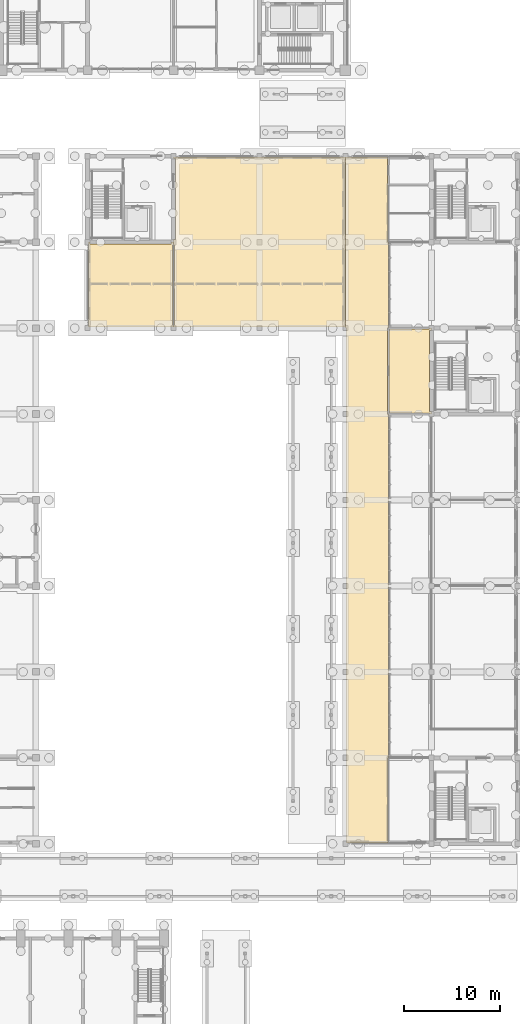
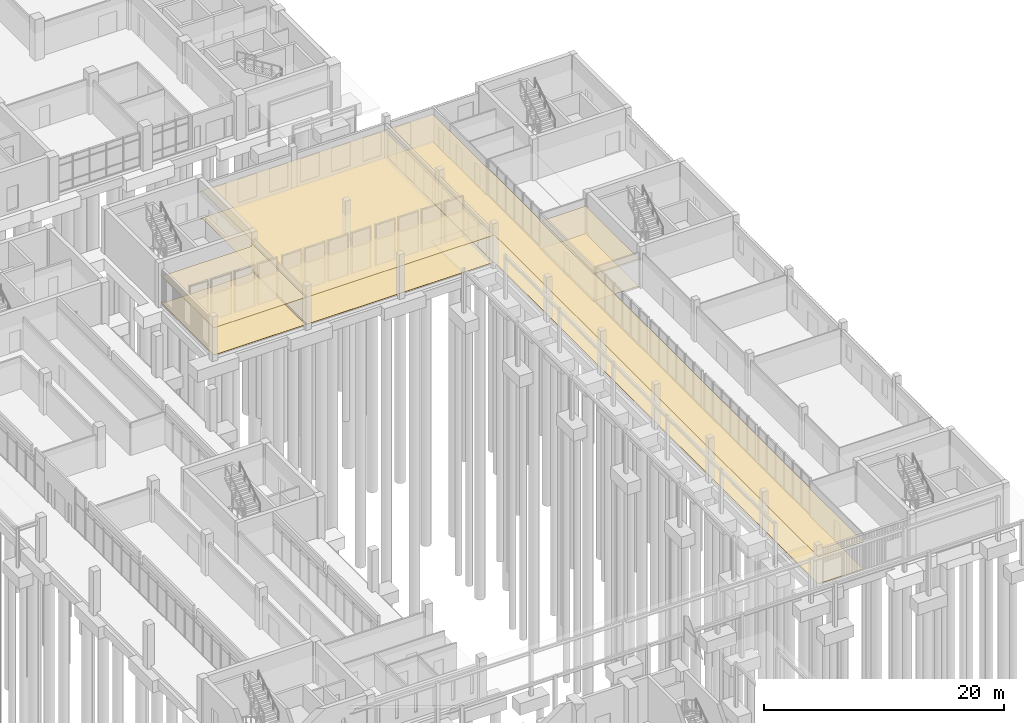
# One storey, part 95 of 106: 8 coverings.
"""IFC4 building model written with IfcOpenShell, lengths in metres."""

from ifc_helpers import new_model, si_unit, direction, frame, origin, place, context, subcontext, project, spatial, polyline, outline, extrude, material, layer, layer_set, type_object, element, save


model = new_model("IFC4")

# Units and contexts
model_context = context("Model", 3, precision=1e-05, world=origin(), true_north=direction((0.0, 1.0)))
body_context = subcontext(model_context, "Body", "Model", "MODEL_VIEW")
ifc_project = project(units=[si_unit("LENGTHUNIT", "METRE"), si_unit("AREAUNIT", "SQUARE_METRE"), si_unit("VOLUMEUNIT", "CUBIC_METRE"), si_unit("PLANEANGLEUNIT", "RADIAN"), si_unit("MASSUNIT", "GRAM", prefix="KILO")], contexts=[model_context])

# Site, building, storey
site_placement = place(None, origin())
site = spatial("IfcSite", under=ifc_project, at=site_placement, CompositionType="ELEMENT")
building_placement = place(site_placement, origin())
building = spatial("IfcBuilding", under=site, at=building_placement, Name="Merrow Basin Faculty of Sciences", CompositionType="ELEMENT")
storey_placement = place(building_placement, origin())
storey = spatial("IfcBuildingStorey", under=building, at=storey_placement, Name="L00", CompositionType="ELEMENT", Elevation=0.0)

# Coverings
ifc_material_1 = material(Name="Carpet tile floor")
ifc_layer_1 = layer(ifc_material_1, 0.02001953125)
ifc_layer_set_1 = layer_set([ifc_layer_1], Name="Carpet tile floor")
covering_type_1 = type_object("IfcCoveringType", Name="Carpet tile floor", PredefinedType="FLOORING", material=ifc_layer_set_1)
covering_1_placement = place(storey_placement, origin())
element("IfcCovering", 1, at=covering_1_placement, inside=storey, type_object=covering_type_1, Name="Floor finish L00-C-023", PredefinedType="FLOORING", context=body_context, shape_type="SweptSolid", body=[
    extrude(outline(polyline([(35.989990234375, 123.735107421875), (35.93994140625, 123.735107421875), (35.93994140625, 115.264892578125), (35.989990234375, 115.264892578125), (35.989990234375, 115.110107421875), (27.110107421875, 115.110107421875), (27.110107421875, 123.989990234375), (27.264892578125, 123.989990234375), (27.264892578125, 123.7900390625), (35.735107421875, 123.7900390625), (35.735107421875, 123.989990234375), (35.989990234375, 123.989990234375), (35.989990234375, 123.735107421875)])), origin(), (0.0, 0.0, 1.0), 0.02001953125),
])
ifc_material_2 = material(Name="Polished terrazzo floor")
ifc_layer_2 = layer(ifc_material_2, 0.02001953125)
ifc_layer_set_2 = layer_set([ifc_layer_2], Name="Polished terrazzo floor")
covering_type_2 = type_object("IfcCoveringType", Name="Polished terrazzo floor", PredefinedType="FLOORING", material=ifc_layer_set_2)
covering_2_placement = place(storey_placement, origin())
element("IfcCovering", 2, at=covering_2_placement, inside=storey, type_object=covering_type_2, Name="Floor finish L00-C-017", PredefinedType="FLOORING", context=body_context, shape_type="SweptSolid", body=[
    extrude(outline(polyline([(54.010009765625, 115.010009765625), (54.010009765625, 132.889892578125), (58.4150390625, 132.889892578125), (58.4150390625, 129.989990234375), (58.43994140625, 129.989990234375), (58.43994140625, 123.989990234375), (58.489990234375, 123.989990234375), (58.489990234375, 115.010009765625), (58.4150390625, 115.010009765625), (58.4150390625, 105.989990234375), (58.489990234375, 105.989990234375), (58.489990234375, 70.010009765625), (58.43994140625, 70.010009765625), (58.43994140625, 61.110107421875), (54.110107421875, 61.110107421875), (54.110107421875, 115.010009765625), (54.010009765625, 115.010009765625)])), origin(), (0.0, 0.0, 1.0), 0.02001953125),
])
covering_3_placement = place(storey_placement, origin())
element("IfcCovering", 3, at=covering_3_placement, inside=storey, type_object=covering_type_2, Name="Floor finish L00-C-022", PredefinedType="FLOORING", context=body_context, shape_type="SweptSolid", body=[
    extrude(outline(polyline([(36.010009765625, 115.110107421875), (36.010009765625, 115.264892578125), (36.06005859375, 115.264892578125), (36.06005859375, 123.735107421875), (36.010009765625, 123.735107421875), (36.010009765625, 124.264892578125), (36.2099609375, 124.264892578125), (36.2099609375, 132.735107421875), (36.010009765625, 132.735107421875), (36.010009765625, 132.889892578125), (53.989990234375, 132.889892578125), (53.989990234375, 115.110107421875), (36.010009765625, 115.110107421875)])), origin(), (0.0, 0.0, 1.0), 0.02001953125),
])
ifc_material_3 = material(Name="Sealed concrete floor", Category="concrete")
ifc_layer_3 = layer(ifc_material_3, 0.02001953125)
ifc_layer_set_3 = layer_set([ifc_layer_3], Name="Sealed concrete floor")
covering_type_3 = type_object("IfcCoveringType", Name="Sealed concrete floor", PredefinedType="FLOORING", material=ifc_layer_set_3)
covering_4_placement = place(storey_placement, origin())
element("IfcCovering", 4, at=covering_4_placement, inside=storey, type_object=covering_type_3, Name="Floor finish L00-C-025", PredefinedType="FLOORING", context=body_context, shape_type="SweptSolid", body=[
    extrude(outline(polyline([(62.989990234375, 114.989990234375), (62.989990234375, 114.735107421875), (62.7900390625, 114.735107421875), (62.7900390625, 106.264892578125), (62.989990234375, 106.264892578125), (62.989990234375, 106.010009765625), (62.735107421875, 106.010009765625), (62.735107421875, 106.0849609375), (58.5849609375, 106.0849609375), (58.5849609375, 114.9150390625), (62.735107421875, 114.9150390625), (62.735107421875, 114.989990234375), (62.989990234375, 114.989990234375)])), origin(), (0.0, 0.0, 1.0), 0.02001953125),
])
ifc_material_4 = material(Name="Mineral fibre ceiling tile")
ifc_layer_4 = layer(ifc_material_4, 0.050048828125)
ifc_layer_set_4 = layer_set([ifc_layer_4], Name="Suspended acoustic ceiling tile")
covering_type_4 = type_object("IfcCoveringType", Name="Suspended acoustic ceiling tile", PredefinedType="CEILING", material=ifc_layer_set_4)
covering_5_placement = place(storey_placement, frame((0.0, 0.0, 2.75)))
element("IfcCovering", 5, at=covering_5_placement, inside=storey, type_object=covering_type_4, Name="Ceiling L00-C-017", PredefinedType="CEILING", context=body_context, shape_type="SweptSolid", body=[
    extrude(outline(polyline([(54.0, 115.0), (54.0, 132.89990234375), (58.425048828125, 132.89990234375), (58.425048828125, 130.0), (58.449951171875, 130.0), (58.449951171875, 124.0), (58.5, 124.0), (58.5, 115.0), (58.425048828125, 115.0), (58.425048828125, 106.0), (58.5, 106.0), (58.5, 70.0), (58.449951171875, 70.0), (58.449951171875, 61.10009765625), (54.10009765625, 61.10009765625), (54.10009765625, 115.0), (54.0, 115.0)])), origin(), (0.0, 0.0, 1.0), 0.050048828125),
])
covering_6_placement = place(storey_placement, frame((0.0, 0.0, 2.75)))
element("IfcCovering", 6, at=covering_6_placement, inside=storey, type_object=covering_type_4, Name="Ceiling L00-C-022", PredefinedType="CEILING", context=body_context, shape_type="SweptSolid", body=[
    extrude(outline(polyline([(36.0, 115.10009765625), (36.0, 115.27490234375), (36.050048828125, 115.27490234375), (36.050048828125, 123.72509765625), (36.0, 123.72509765625), (36.0, 124.27490234375), (36.199951171875, 124.27490234375), (36.199951171875, 132.72509765625), (36.0, 132.72509765625), (36.0, 132.89990234375), (54.0, 132.89990234375), (54.0, 115.10009765625), (36.0, 115.10009765625)])), origin(), (0.0, 0.0, 1.0), 0.050048828125),
])
covering_7_placement = place(storey_placement, frame((0.0, 0.0, 2.75)))
element("IfcCovering", 7, at=covering_7_placement, inside=storey, type_object=covering_type_4, Name="Ceiling L00-C-023", PredefinedType="CEILING", context=body_context, shape_type="SweptSolid", body=[
    extrude(outline(polyline([(36.0, 123.72509765625), (35.949951171875, 123.72509765625), (35.949951171875, 115.27490234375), (36.0, 115.27490234375), (36.0, 115.10009765625), (27.10009765625, 115.10009765625), (27.10009765625, 124.0), (27.27490234375, 124.0), (27.27490234375, 123.800048828125), (35.72509765625, 123.800048828125), (35.72509765625, 124.0), (36.0, 124.0), (36.0, 123.72509765625)])), origin(), (0.0, 0.0, 1.0), 0.050048828125),
])
covering_8_placement = place(storey_placement, frame((0.0, 0.0, 2.75)))
element("IfcCovering", 8, at=covering_8_placement, inside=storey, type_object=covering_type_4, Name="Ceiling L00-C-025", PredefinedType="CEILING", context=body_context, shape_type="SweptSolid", body=[
    extrude(outline(polyline([(63.0, 115.0), (63.0, 114.72509765625), (62.800048828125, 114.72509765625), (62.800048828125, 106.27490234375), (63.0, 106.27490234375), (63.0, 106.0), (62.72509765625, 106.0), (62.72509765625, 106.074951171875), (58.574951171875, 106.074951171875), (58.574951171875, 114.925048828125), (62.72509765625, 114.925048828125), (62.72509765625, 115.0), (63.0, 115.0)])), origin(), (0.0, 0.0, 1.0), 0.050048828125),
])

save(model, "model.ifc")
